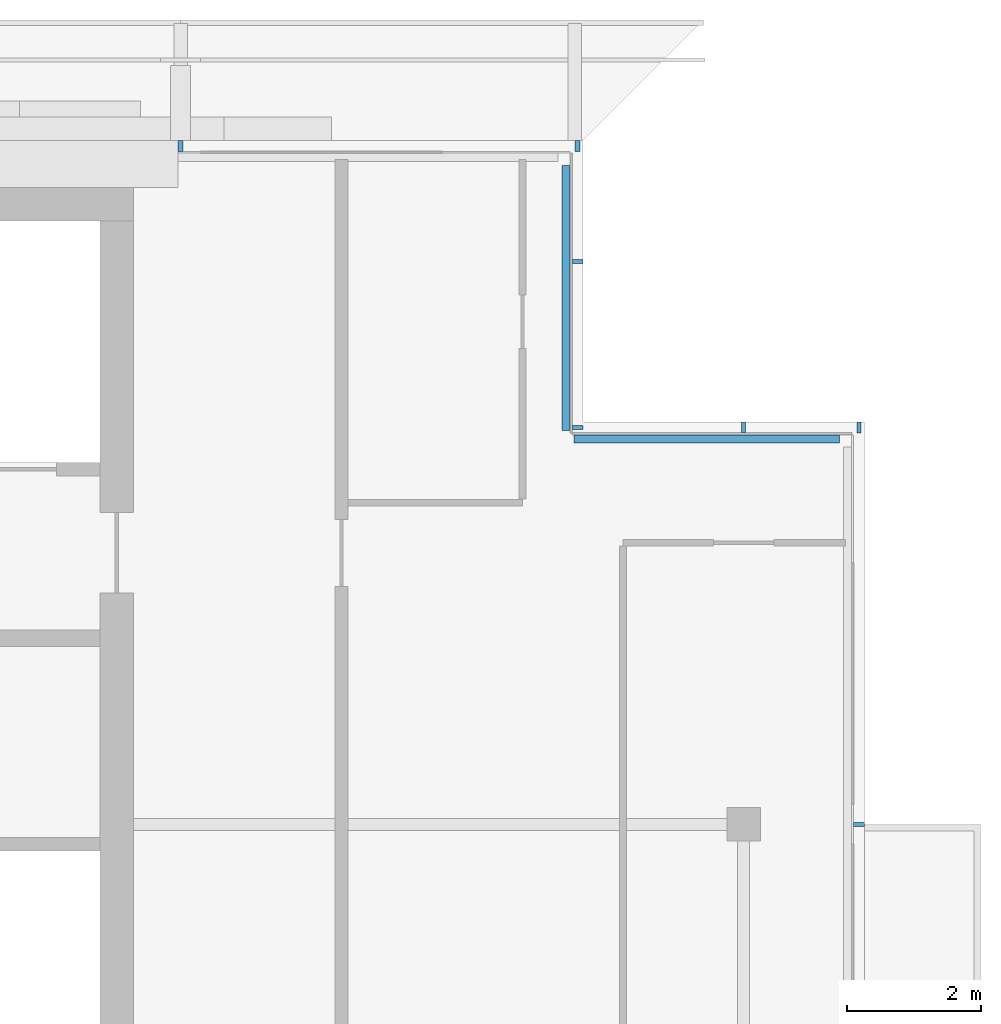
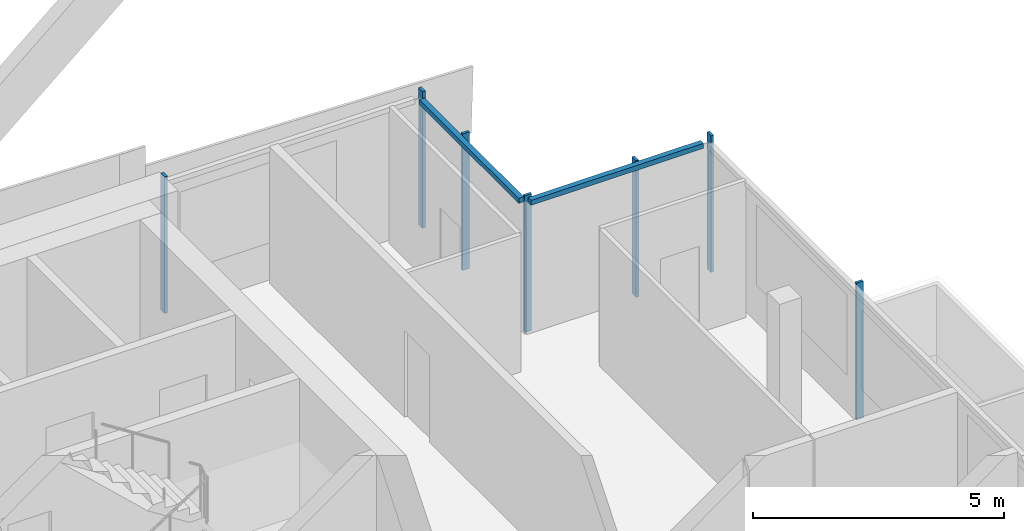
# One storey, part 8 of 22: 9 members, 4 elements without a shape of their own.
"""IFC4 building model written with IfcOpenShell, lengths in metres."""

from ifc_helpers import new_model, si_unit, direction, frame, origin, origin_2d, place, context, subcontext, project, spatial, rectangle, extrude, material, material_profile, profile_set, type_object, element, aggregate, save


model = new_model("IFC4")

# Units and contexts
model_context = context("Model", 3, precision=1e-05, world=origin(), true_north=direction((0.0, 1.0)))
body_context = subcontext(model_context, "Body", "Model", "MODEL_VIEW")
ifc_project = project(units=[si_unit("LENGTHUNIT", "METRE"), si_unit("AREAUNIT", "SQUARE_METRE"), si_unit("VOLUMEUNIT", "CUBIC_METRE"), si_unit("PLANEANGLEUNIT", "RADIAN"), si_unit("MASSUNIT", "GRAM", prefix="KILO")], contexts=[model_context])

# Site, building, storey
site_placement = place(None, origin())
site = spatial("IfcSite", under=ifc_project, at=site_placement, CompositionType="ELEMENT")
building_placement = place(site_placement, origin())
building = spatial("IfcBuilding", under=site, at=building_placement, Name="Saffron Gate Tower", CompositionType="ELEMENT")
storey_placement = place(building_placement, frame((0.0, 0.0, 285.14990234375)))
storey = spatial("IfcBuildingStorey", under=building, at=storey_placement, Name="L69", CompositionType="ELEMENT", Elevation=285.14990234375)

# Curtain wall, member
ifc_material = material(Name="Aluminium, bronze anodised", Category="aluminium")
curtain_wall_type_1 = type_object("IfcCurtainWallType", Name="CWS2 curtain wall side facades", PredefinedType="NOTDEFINED", material=ifc_material)
curtain_wall_1_placement = place(storey_placement, origin())
curtain_wall_1 = element("IfcCurtainWall", 1, at=curtain_wall_1_placement, inside=storey, type_object=curtain_wall_type_1, Name="CWS2 run 4", PredefinedType="NOTDEFINED")
ifc_material_profile_1 = material_profile(ifc_material, rectangle(XDim=0.159912109375, YDim=0.06005859375, at=origin_2d()))
ifc_profile_set_1 = profile_set([ifc_material_profile_1], Name="Aluminium, bronze anodised")
member_type_1 = type_object("IfcMemberType", Name="CWS2 mullion 60x160", PredefinedType="MULLION", material=ifc_profile_set_1)
member_1_placement = place(storey_placement, frame((118.719970703125, 65.39990234375, 0.0), z_axis=(0.0, 0.0, 1.0), x_axis=(-1.0, 0.0, 0.0)))
member_1 = element("IfcMember", 2, at=member_1_placement, type_object=member_type_1, Name="CWS2 mullion 4", PredefinedType="MULLION", context=body_context, shape_type="SweptSolid", body=[
    extrude(rectangle(XDim=0.159912109375, YDim=0.06005859375, at=origin_2d()), origin(), (0.0, 0.0, 1.0), 3.320068359375),
])
aggregate(curtain_wall_1, [member_1])

# Curtain wall, members
curtain_wall_type_2 = type_object("IfcCurtainWallType", Name="CWS3 curtain wall rear facade", PredefinedType="NOTDEFINED", material=ifc_material)
curtain_wall_2_placement = place(storey_placement, origin())
curtain_wall_2 = element("IfcCurtainWall", 3, at=curtain_wall_2_placement, inside=storey, type_object=curtain_wall_type_2, Name="CWS3 run 7", PredefinedType="NOTDEFINED")
ifc_material_profile_2 = material_profile(ifc_material, rectangle(XDim=0.159912109375, YDim=0.070068359375, at=origin_2d()))
ifc_profile_set_2 = profile_set([ifc_material_profile_2], Name="Aluminium, bronze anodised")
member_type_2 = type_object("IfcMemberType", Name="CWS3 mullion 70x160", PredefinedType="MULLION", material=ifc_profile_set_2)
member_2_placement = place(storey_placement, frame((114.52001953125, 75.52001953125, 0.0), z_axis=(0.0, 0.0, 1.0), x_axis=(0.0, -1.0, 0.0)))
member_2 = element("IfcMember", 4, at=member_2_placement, type_object=member_type_2, Name="CWS3 mullion 1", PredefinedType="MULLION", context=body_context, shape_type="SweptSolid", body=[
    extrude(rectangle(XDim=0.159912109375, YDim=0.070068359375, at=origin_2d()), origin(), (0.0, 0.0, 1.0), 3.320068359375),
])
member_3_placement = place(storey_placement, frame((108.60009765625, 75.52001953125, 0.0), z_axis=(0.0, 0.0, 1.0), x_axis=(0.0, -1.0, 0.0)))
member_3 = element("IfcMember", 5, at=member_3_placement, type_object=member_type_2, Name="CWS3 mullion 2", PredefinedType="MULLION", context=body_context, shape_type="SweptSolid", body=[
    extrude(rectangle(XDim=0.159912109375, YDim=0.070068359375, at=origin_2d()), origin(), (0.0, 0.0, 1.0), 3.320068359375),
])
aggregate(curtain_wall_2, [member_2, member_3])

# Curtain wall, member
curtain_wall_type_3 = type_object("IfcCurtainWallType", Name="CWS4 curtain wall corner returns", PredefinedType="NOTDEFINED", material=ifc_material)
curtain_wall_3_placement = place(storey_placement, origin())
curtain_wall_3 = element("IfcCurtainWall", 6, at=curtain_wall_3_placement, inside=storey, type_object=curtain_wall_type_3, Name="CWS4 run 5", PredefinedType="NOTDEFINED")
ifc_material_profile_3 = material_profile(ifc_material, rectangle(XDim=0.1201171875, YDim=0.1201171875, at=origin_2d()))
ifc_profile_set_3 = profile_set([ifc_material_profile_3], Name="Aluminium, bronze anodised")
member_type_3 = type_object("IfcMemberType", Name="CWS4 head transom", PredefinedType="USERDEFINED", material=ifc_profile_set_3)
member_4_placement = place(storey_placement, frame((118.431884765625, 71.152099609375, 3.260009765625), z_axis=(-1.0, 0.0, 0.0), x_axis=(0.0, -1.0, 0.0)))
member_4 = element("IfcMember", 7, at=member_4_placement, type_object=member_type_3, Name="CWS4 head transom", ObjectType="TRANSOM", PredefinedType="USERDEFINED", context=body_context, shape_type="SweptSolid", body=[
    extrude(rectangle(XDim=0.1201171875, YDim=0.1201171875, at=origin_2d()), origin(), (0.0, 0.0, 1.0), 3.9599609375),
])

curtain_wall_4_placement = place(storey_placement, origin())
curtain_wall_4 = element("IfcCurtainWall", 8, at=curtain_wall_4_placement, inside=storey, type_object=curtain_wall_type_3, Name="CWS4 run 6", PredefinedType="NOTDEFINED")
member_5_placement = place(storey_placement, frame((114.35205078125, 71.27197265625, 3.260009765625), z_axis=(0.0, 1.0, 0.0), x_axis=(-1.0, 0.0, 0.0)))
member_5 = element("IfcMember", 9, at=member_5_placement, type_object=member_type_3, Name="CWS4 head transom", ObjectType="TRANSOM", PredefinedType="USERDEFINED", context=body_context, shape_type="SweptSolid", body=[
    extrude(rectangle(XDim=0.1201171875, YDim=0.1201171875, at=origin_2d()), origin(), (0.0, 0.0, 1.0), 3.9599609375),
])

# Member
ifc_material_profile_4 = material_profile(ifc_material, rectangle(XDim=0.159912109375, YDim=0.06005859375, at=origin_2d()))
ifc_profile_set_4 = profile_set([ifc_material_profile_4], Name="Aluminium, bronze anodised")
member_type_4 = type_object("IfcMemberType", Name="CWS4 mullion 60x160", PredefinedType="MULLION", material=ifc_profile_set_4)
member_6_placement = place(storey_placement, frame((118.719970703125, 71.320068359375, 0.0), z_axis=(0.0, 0.0, 1.0), x_axis=(0.0, -1.0, 0.0)))
member_6 = element("IfcMember", 10, at=member_6_placement, type_object=member_type_4, Name="CWS4 mullion 1", PredefinedType="MULLION", context=body_context, shape_type="SweptSolid", body=[
    extrude(rectangle(XDim=0.159912109375, YDim=0.06005859375, at=origin_2d()), origin(), (0.0, 0.0, 1.0), 3.320068359375),
])

member_7_placement = place(storey_placement, frame((117.0, 71.320068359375, 0.0), z_axis=(0.0, 0.0, 1.0), x_axis=(0.0, -1.0, 0.0)))
member_7 = element("IfcMember", 11, at=member_7_placement, type_object=member_type_4, Name="CWS4 mullion 2", PredefinedType="MULLION", context=body_context, shape_type="SweptSolid", body=[
    extrude(rectangle(XDim=0.159912109375, YDim=0.06005859375, at=origin_2d()), origin(), (0.0, 0.0, 1.0), 3.320068359375),
])

aggregate(curtain_wall_3, [member_6, member_7, member_4])

member_8_placement = place(storey_placement, frame((114.52001953125, 71.320068359375, 0.0), z_axis=(0.0, 0.0, 1.0), x_axis=(-1.0, 0.0, 0.0)))
member_8 = element("IfcMember", 12, at=member_8_placement, type_object=member_type_4, Name="CWS4 mullion 1", PredefinedType="MULLION", context=body_context, shape_type="SweptSolid", body=[
    extrude(rectangle(XDim=0.159912109375, YDim=0.06005859375, at=origin_2d()), origin(), (0.0, 0.0, 1.0), 3.320068359375),
])

member_9_placement = place(storey_placement, frame((114.52001953125, 73.800048828125, 0.0), z_axis=(0.0, 0.0, 1.0), x_axis=(-1.0, 0.0, 0.0)))
member_9 = element("IfcMember", 13, at=member_9_placement, type_object=member_type_4, Name="CWS4 mullion 2", PredefinedType="MULLION", context=body_context, shape_type="SweptSolid", body=[
    extrude(rectangle(XDim=0.159912109375, YDim=0.06005859375, at=origin_2d()), origin(), (0.0, 0.0, 1.0), 3.320068359375),
])

aggregate(curtain_wall_4, [member_8, member_9, member_5])

save(model, "model.ifc")
